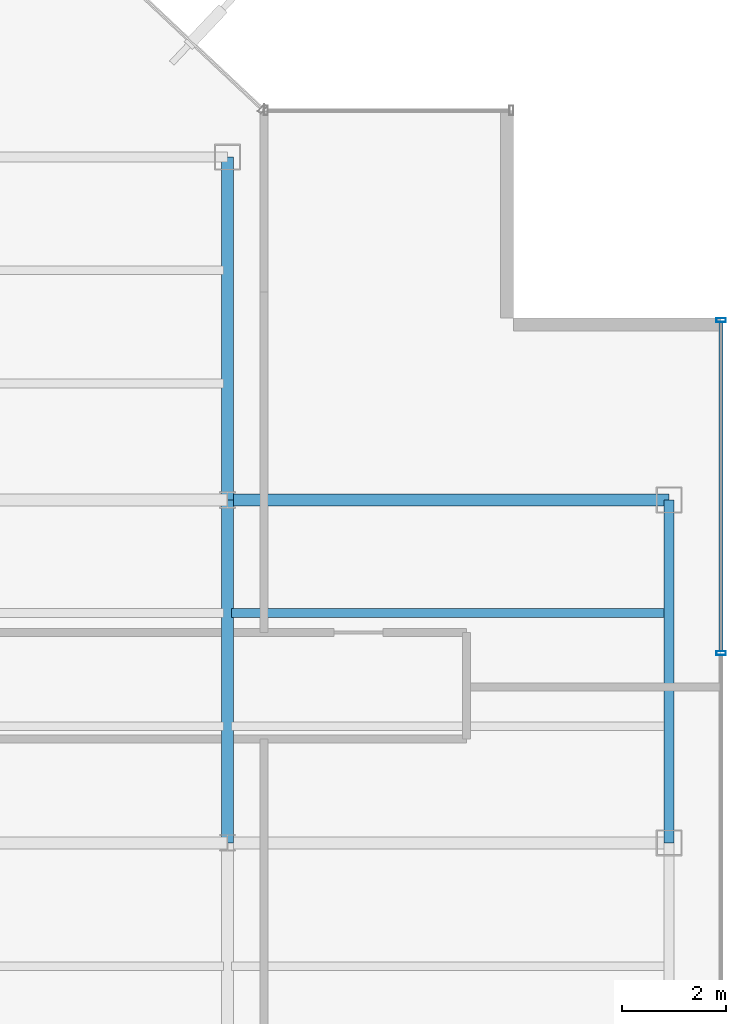
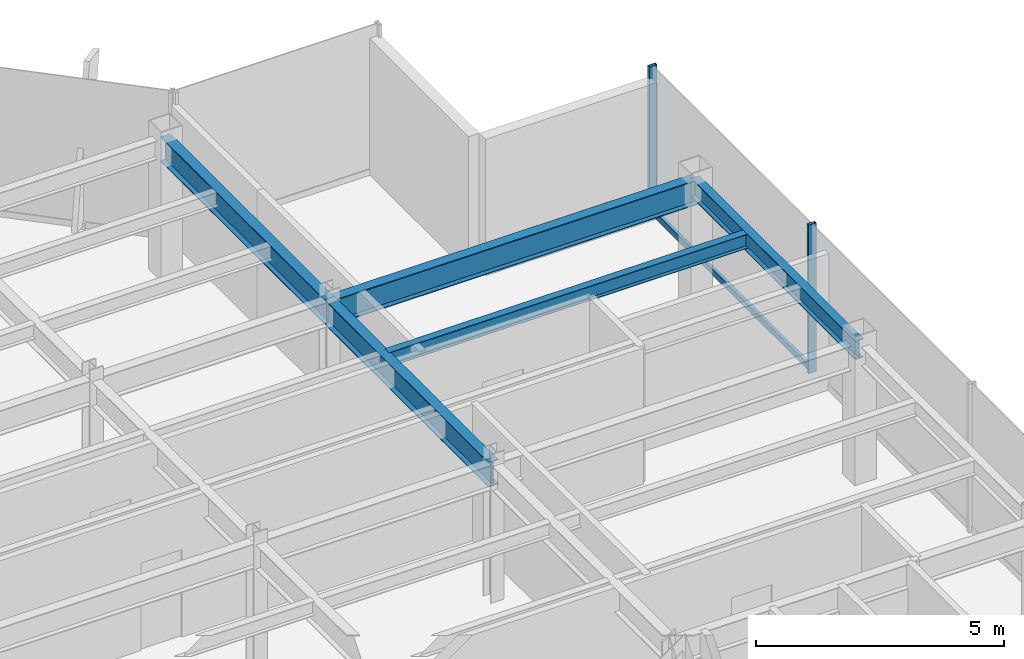
# One storey, part 11 of 22: 5 beams, 3 members, 1 element without a shape of its own.
"""IFC4 building model written with IfcOpenShell, lengths in metres."""

from ifc_helpers import new_model, si_unit, derived_unit, direction, frame, origin, origin_2d, place, context, subcontext, project, spatial, hollow_rectangle, i_section, extrude, source, transform, mapped, material, material_profile, profile_set, type_object, element, aggregate, save


model = new_model("IFC4")

# Units and contexts
model_context = context("Model", 3, precision=1e-05, world=origin(), true_north=direction((0.0, 1.0)))
body_context = subcontext(model_context, "Body", "Model", "MODEL_VIEW")
ifc_project = project(units=[si_unit("LENGTHUNIT", "METRE"), si_unit("AREAUNIT", "SQUARE_METRE"), si_unit("VOLUMEUNIT", "CUBIC_METRE"), si_unit("PLANEANGLEUNIT", "RADIAN"), si_unit("MASSUNIT", "GRAM", prefix="KILO"), derived_unit("THERMALTRANSMITTANCEUNIT", [(si_unit("POWERUNIT", "WATT"), 1), (si_unit("LENGTHUNIT", "METRE"), -2), (si_unit("THERMODYNAMICTEMPERATUREUNIT", "KELVIN"), -1)])], contexts=[model_context])

# Site, building, storey
site_placement = place(None, origin())
site = spatial("IfcSite", under=ifc_project, at=site_placement, CompositionType="ELEMENT")
building_placement = place(site_placement, origin())
building = spatial("IfcBuilding", under=site, at=building_placement, Name="Skarnbrae Concourse Arena and Tower", CompositionType="ELEMENT")
storey_placement = place(building_placement, frame((0.0, 0.0, 232.39990234375)))
storey = spatial("IfcBuildingStorey", under=building, at=storey_placement, Name="L60", CompositionType="ELEMENT", Elevation=232.39990234375)

# Beams
ifc_material_1 = material(Name="Steel CSA G40.21 350W", Category="steel")
ifc_material_profile_1 = material_profile(ifc_material_1, i_section(OverallWidth=0.22802734375, OverallDepth=0.60791015625, WebThickness=0.01123046875, FlangeThickness=0.017333984375, at=origin_2d()), Name="W610X113")
ifc_profile_set_1 = profile_set([ifc_material_profile_1], Name="Steel CSA G40.21 350W")
beam_type_1 = type_object("IfcBeamType", Name="BM-GIRD-W610X113", PredefinedType="BEAM", material=ifc_profile_set_1)
shared_shape_1 = source(origin(), body_context, "Body", "SweptSolid", [
    extrude(i_section(OverallWidth=0.22802734375, OverallDepth=0.60791015625, WebThickness=0.01123046875, FlangeThickness=0.017333984375, at=origin_2d()), origin(), (0.0, 0.0, 1.0), 6.60009765625),
])
beam_1_placement = place(storey_placement, frame((33.5, 21.199951171875, 3.046142578125), z_axis=(0.0, 1.0, 0.0), x_axis=(-1.0, 0.0, 0.0)))
element("IfcBeam", 1, at=beam_1_placement, inside=storey, type_object=beam_type_1, Name="L60 Primary N-S girder X33.5-2", PredefinedType="BEAM", context=body_context, shape_type="MappedRepresentation", body=[
    mapped(shared_shape_1, transform((0.0, 0.0, 0.0))),
])
shared_shape_2 = source(origin(), body_context, "Body", "SweptSolid", [
    extrude(i_section(OverallWidth=0.22802734375, OverallDepth=0.60791015625, WebThickness=0.01123046875, FlangeThickness=0.017333984375, at=origin_2d()), origin(), (0.0, 0.0, 1.0), 8.5),
])
beam_2_placement = place(storey_placement, frame((33.5, 27.800048828125, 3.046142578125), z_axis=(1.0, 0.0, 0.0), x_axis=(0.0, 1.0, 0.0)))
element("IfcBeam", 2, at=beam_2_placement, inside=storey, type_object=beam_type_1, Name="L60 Primary E-W girder Y27.8-6", PredefinedType="BEAM", context=body_context, shape_type="MappedRepresentation", body=[
    mapped(shared_shape_2, transform((0.0, 0.0, 0.0))),
])
ifc_material_profile_2 = material_profile(ifc_material_1, i_section(OverallWidth=0.19091796875, OverallDepth=0.4599609375, WebThickness=0.010009765625, FlangeThickness=0.01611328125, at=origin_2d()), Name="W460X82")
ifc_profile_set_2 = profile_set([ifc_material_profile_2], Name="Steel CSA G40.21 350W")
beam_type_2 = type_object("IfcBeamType", Name="BM-SPAN-W460X82", PredefinedType="SPANDREL", material=ifc_profile_set_2)
shared_shape_3 = source(origin(), body_context, "Body", "SweptSolid", [
    extrude(i_section(OverallWidth=0.19091796875, OverallDepth=0.4599609375, WebThickness=0.010009765625, FlangeThickness=0.01611328125, at=origin_2d()), origin(), (0.0, 0.0, 1.0), 6.60009765625),
])
beam_3_placement = place(storey_placement, frame((42.0, 21.199951171875, 3.1201171875), z_axis=(0.0, 1.0, 0.0), x_axis=(-1.0, 0.0, 0.0)))
element("IfcBeam", 3, at=beam_3_placement, inside=storey, type_object=beam_type_2, Name="L60 Perimeter spandrel X42.0-3", PredefinedType="SPANDREL", context=body_context, shape_type="MappedRepresentation", body=[
    mapped(shared_shape_3, transform((0.0, 0.0, 0.0))),
])
shared_shape_4 = source(origin(), body_context, "Body", "SweptSolid", [
    extrude(i_section(OverallWidth=0.22802734375, OverallDepth=0.60791015625, WebThickness=0.01123046875, FlangeThickness=0.017333984375, at=origin_2d()), origin(), (0.0, 0.0, 1.0), 6.599853515625),
])
beam_4_placement = place(storey_placement, frame((33.5, 27.800048828125, 3.046142578125), z_axis=(0.0, 1.0, 0.0), x_axis=(-1.0, 0.0, 0.0)))
element("IfcBeam", 4, at=beam_4_placement, inside=storey, type_object=beam_type_1, Name="L60 Primary N-S girder X33.5-3", PredefinedType="BEAM", context=body_context, shape_type="MappedRepresentation", body=[
    mapped(shared_shape_4, transform((0.0, 0.0, 0.0))),
])
ifc_material_profile_3 = material_profile(ifc_material_1, i_section(OverallWidth=0.1708984375, OverallDepth=0.35498046875, WebThickness=0.007080078125, FlangeThickness=0.01171875, at=origin_2d()), Name="W360X51")
ifc_profile_set_3 = profile_set([ifc_material_profile_3], Name="Steel CSA G40.21 350W")
beam_type_3 = type_object("IfcBeamType", Name="BM-JOIST-W360X51", PredefinedType="JOIST", material=ifc_profile_set_3)
shared_shape_5 = source(origin(), body_context, "Body", "SweptSolid", [
    extrude(i_section(OverallWidth=0.1708984375, OverallDepth=0.35498046875, WebThickness=0.007080078125, FlangeThickness=0.01171875, at=origin_2d()), origin(), (0.0, 0.0, 1.0), 8.33984375),
])
beam_5_placement = place(storey_placement, frame((33.580078125, 25.6220703125, 3.172607421875), z_axis=(1.0, 0.0, 0.0), x_axis=(0.0, 1.0, 0.0)))
element("IfcBeam", 5, at=beam_5_placement, inside=storey, type_object=beam_type_3, Name="L60 Secondary floor joist 2.2.6", PredefinedType="JOIST", context=body_context, shape_type="MappedRepresentation", body=[
    mapped(shared_shape_5, transform((0.0, 0.0, 0.0))),
])

# Curtain wall, members
ifc_material_2 = material(Name="Bronze anodised aluminium 6063-T6", Category="aluminium")
curtain_wall_type = type_object("IfcCurtainWallType", Name="CW-SYS-05-HIGHZONE", PredefinedType="USERDEFINED", material=ifc_material_2)
curtain_wall_placement = place(storey_placement, origin())
curtain_wall = element("IfcCurtainWall", 6, at=curtain_wall_placement, inside=storey, type_object=curtain_wall_type, Name="L60 Unitised curtain wall CW-L60-E04", ObjectType="UNITISED CURTAIN WALL", PredefinedType="USERDEFINED")
ifc_material_profile_4 = material_profile(ifc_material_2, hollow_rectangle(XDim=0.074951171875, YDim=0.14990234375, WallThickness=0.00390625, at=origin_2d()), Name="ALU-TRAN-75X150")
ifc_profile_set_4 = profile_set([ifc_material_profile_4], Name="Bronze anodised aluminium 6063-T6")
member_type_1 = type_object("IfcMemberType", Name="CWT-CW-05", PredefinedType="USERDEFINED", material=ifc_profile_set_4)
shared_shape_6 = source(origin(), body_context, "Body", "SweptSolid", [
    extrude(hollow_rectangle(XDim=0.074951171875, YDim=0.14990234375, WallThickness=0.00390625, at=origin_2d()), origin(), (0.0, 0.0, 1.0), 6.337646484375),
])
member_1_placement = place(storey_placement, frame((43.0, 24.887451171875, 0.0751953125), z_axis=(0.0, 1.0, 0.0), x_axis=(-1.0, 0.0, 0.0)))
member_1 = element("IfcMember", 7, at=member_1_placement, type_object=member_type_1, Name="CW-L60-E04 Transom 4", ObjectType="TRANSOM", PredefinedType="USERDEFINED", context=body_context, shape_type="MappedRepresentation", body=[
    mapped(shared_shape_6, transform((0.0, 0.0, 0.0))),
])
ifc_material_profile_5 = material_profile(ifc_material_2, hollow_rectangle(XDim=0.074951171875, YDim=0.179931640625, WallThickness=0.00390625, at=origin_2d()), Name="ALU-MULL-75X180")
ifc_profile_set_5 = profile_set([ifc_material_profile_5], Name="Bronze anodised aluminium 6063-T6")
member_type_2 = type_object("IfcMemberType", Name="CWM-CW-05", PredefinedType="MULLION", material=ifc_profile_set_5)
shared_shape_7 = source(origin(), body_context, "Body", "SweptSolid", [
    extrude(hollow_rectangle(XDim=0.074951171875, YDim=0.179931640625, WallThickness=0.00390625, at=origin_2d()), origin(), (0.0, 0.0, 1.0), 3.650146484375),
])
member_2_placement = place(storey_placement, frame((43.0, 24.85009765625, 0.0), z_axis=(0.0, 0.0, 1.0), x_axis=(0.0, 1.0, 0.0)))
member_2 = element("IfcMember", 8, at=member_2_placement, type_object=member_type_2, Name="CW-L60-E04 Mullion 4", PredefinedType="MULLION", context=body_context, shape_type="MappedRepresentation", body=[
    mapped(shared_shape_7, transform((0.0, 0.0, 0.0))),
])
member_3_placement = place(storey_placement, frame((43.0, 31.262451171875, 0.0), z_axis=(0.0, 0.0, 1.0), x_axis=(0.0, 1.0, 0.0)))
member_3 = element("IfcMember", 9, at=member_3_placement, type_object=member_type_2, Name="CW-L60-E04 Mullion 5", PredefinedType="MULLION", context=body_context, shape_type="MappedRepresentation", body=[
    mapped(shared_shape_7, transform((0.0, 0.0, 0.0))),
])
aggregate(curtain_wall, [member_2, member_3, member_1])

save(model, "model.ifc")
